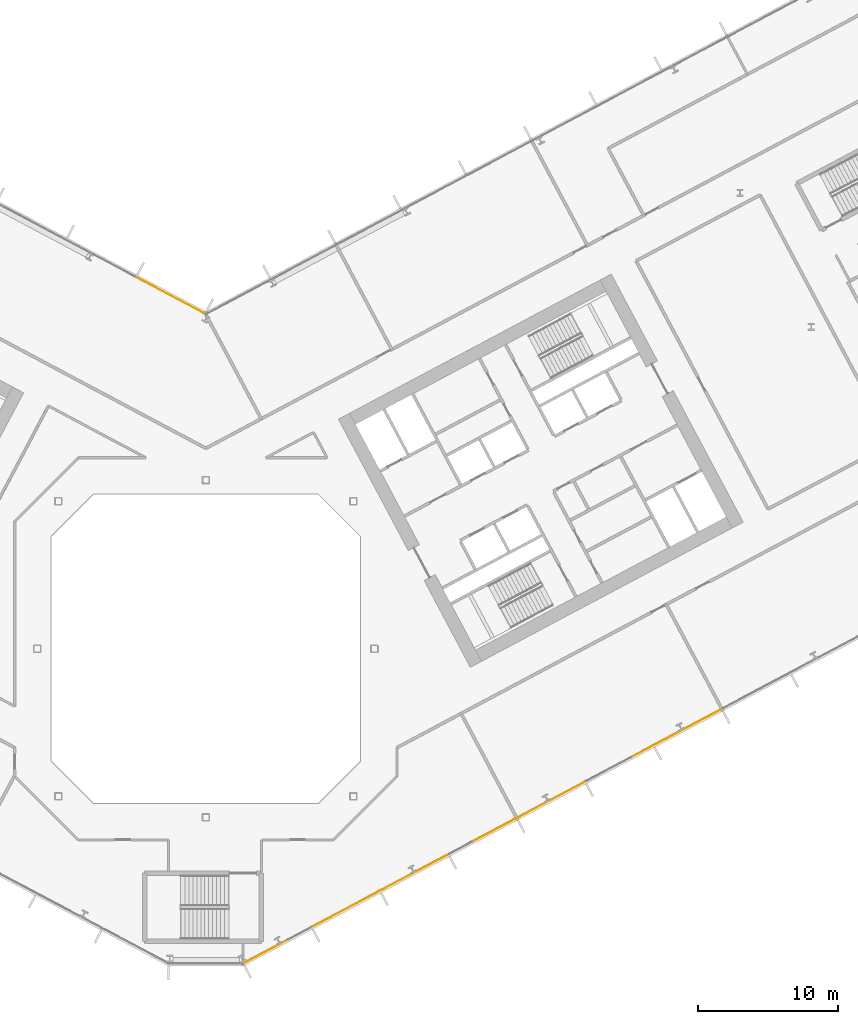
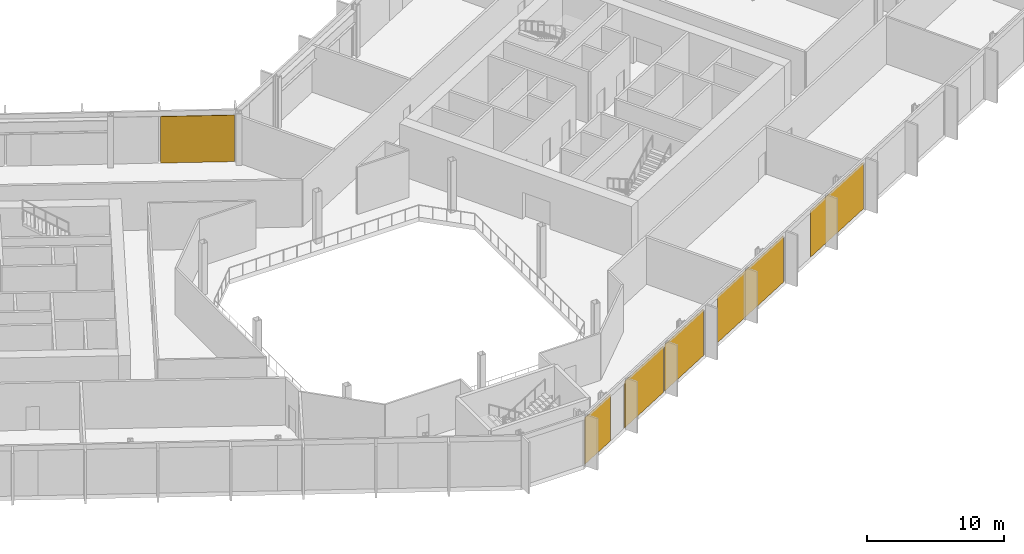
# One storey, part 26 of 31: 6 coverings, 2 elements without a shape of their own.
"""IFC4 building model written with IfcOpenShell, lengths in metres."""

from ifc_helpers import new_model, si_unit, direction, frame, origin, origin_2d, place, context, subcontext, project, spatial, rectangle, extrude, material, layer, layer_set, type_object, element, aggregate, save


model = new_model("IFC4")

# Units and contexts
model_context = context("Model", 3, precision=1e-05, world=origin(), true_north=direction((0.0, 1.0)))
body_context = subcontext(model_context, "Body", "Model", "MODEL_VIEW")
ifc_project = project(units=[si_unit("LENGTHUNIT", "METRE"), si_unit("AREAUNIT", "SQUARE_METRE"), si_unit("VOLUMEUNIT", "CUBIC_METRE"), si_unit("PLANEANGLEUNIT", "RADIAN"), si_unit("MASSUNIT", "GRAM", prefix="KILO")], contexts=[model_context])

# Site, building, storey
site_placement = place(None, origin())
site = spatial("IfcSite", under=ifc_project, at=site_placement, CompositionType="ELEMENT")
building_placement = place(site_placement, origin())
building = spatial("IfcBuilding", under=site, at=building_placement, Name="Cormorant Relay Tower", CompositionType="ELEMENT")
storey_placement = place(building_placement, frame((0.0, 0.0, 93.800048828125)))
storey = spatial("IfcBuildingStorey", under=building, at=storey_placement, Name="L18", CompositionType="ELEMENT", Elevation=93.800048828125)

# Curtain wall, coverings
ifc_material_1 = material(Name="Aluminium 6063-T6 anodised bronze", Category="aluminium")
ifc_layer_1 = layer(ifc_material_1, 0.199951171875)
ifc_layer_set_1 = layer_set([ifc_layer_1], Name="CW1 unitised bronze curtain wall with vertical fins")
curtain_wall_type = type_object("IfcCurtainWallType", Name="CW1 unitised bronze curtain wall with vertical fins", PredefinedType="NOTDEFINED", material=ifc_layer_set_1)
curtain_wall_1_placement = place(storey_placement, origin())
curtain_wall_1 = element("IfcCurtainWall", 1, at=curtain_wall_1_placement, inside=storey, type_object=curtain_wall_type, Name="CW1 curtain wall 2", PredefinedType="NOTDEFINED")
ifc_material_2 = material(Name="Pale bronze anodised aluminium insulated panel", Category="aluminium")
ifc_layer_2 = layer(ifc_material_2, 0.0400390625)
ifc_layer_set_2 = layer_set([ifc_layer_2], Name="CW1 pale bronze insulated panel 40")
covering_type = type_object("IfcCoveringType", Name="CW1 pale bronze insulated panel 40", PredefinedType="CLADDING", material=ifc_layer_set_2)
covering_1_placement = place(storey_placement, frame((4.296875, -21.52197265625, 0.0), z_axis=(0.0, 0.0, 1.0), x_axis=(0.882947592859, 0.469471562786, 0.0)))
covering_1 = element("IfcCovering", 2, at=covering_1_placement, type_object=covering_type, Name="CW1 panel S00", PredefinedType="CLADDING", context=body_context, shape_type="SweptSolid", body=[
    extrude(rectangle(XDim=3.561767578125, YDim=0.0400390625, at=origin_2d()), origin(), (0.0, 0.0, 1.0), 4.14990234375),
])
covering_2_placement = place(storey_placement, frame((9.958251953125, -18.51171875, 0.0), z_axis=(0.0, 0.0, 1.0), x_axis=(0.882947592859, 0.469471562786, 0.0)))
covering_2 = element("IfcCovering", 3, at=covering_2_placement, type_object=covering_type, Name="CW1 panel S02", PredefinedType="CLADDING", context=body_context, shape_type="SweptSolid", body=[
    extrude(rectangle(XDim=5.36181640625, YDim=0.0400390625, at=origin_2d()), origin(), (0.0, 0.0, 1.0), 4.14990234375),
])
covering_3_placement = place(storey_placement, frame((14.824951171875, -15.924072265625, 0.0), z_axis=(0.0, 0.0, 1.0), x_axis=(0.882947592859, 0.469471562786, 0.0)))
covering_3 = element("IfcCovering", 4, at=covering_3_placement, type_object=covering_type, Name="CW1 panel S03", PredefinedType="CLADDING", context=body_context, shape_type="SweptSolid", body=[
    extrude(rectangle(XDim=5.36181640625, YDim=0.0400390625, at=origin_2d()), origin(), (0.0, 0.0, 1.0), 4.14990234375),
])
covering_4_placement = place(storey_placement, frame((22.919677734375, -11.6201171875, 0.0), z_axis=(0.0, 0.0, 1.0), x_axis=(0.882947592859, 0.469471562786, 0.0)))
covering_4 = element("IfcCovering", 5, at=covering_4_placement, type_object=covering_type, Name="CW1 panel S05", PredefinedType="CLADDING", context=body_context, shape_type="SweptSolid", body=[
    extrude(rectangle(XDim=9.07373046875, YDim=0.0400390625, at=origin_2d()), origin(), (0.0, 0.0, 1.0), 4.14990234375),
])
covering_5_placement = place(storey_placement, frame((33.447509765625, -6.022216796875, 0.0), z_axis=(0.0, 0.0, 1.0), x_axis=(0.882947592859, 0.469471562786, 0.0)))
covering_5 = element("IfcCovering", 6, at=covering_5_placement, type_object=covering_type, Name="CW1 panel S07", PredefinedType="CLADDING", context=body_context, shape_type="SweptSolid", body=[
    extrude(rectangle(XDim=7.273681640625, YDim=0.0400390625, at=origin_2d()), origin(), (0.0, 0.0, 1.0), 4.14990234375),
])
aggregate(curtain_wall_1, [covering_1, covering_2, covering_3, covering_4, covering_5])

# Curtain wall, covering
curtain_wall_2_placement = place(storey_placement, origin())
curtain_wall_2 = element("IfcCurtainWall", 7, at=curtain_wall_2_placement, inside=storey, type_object=curtain_wall_type, Name="CW1 curtain wall 7", PredefinedType="NOTDEFINED")
covering_6_placement = place(storey_placement, frame((-2.51318359375, 25.142822265625, 0.0), z_axis=(0.0, 0.0, 1.0), x_axis=(-0.882947592859, 0.469471562786, 0.0)))
covering_6 = element("IfcCovering", 8, at=covering_6_placement, type_object=covering_type, Name="CW1 panel S00", PredefinedType="CLADDING", context=body_context, shape_type="SweptSolid", body=[
    extrude(rectangle(XDim=5.4140625, YDim=0.0400390625, at=origin_2d()), origin(), (0.0, 0.0, 1.0), 4.14990234375),
])
aggregate(curtain_wall_2, [covering_6])

save(model, "model.ifc")
